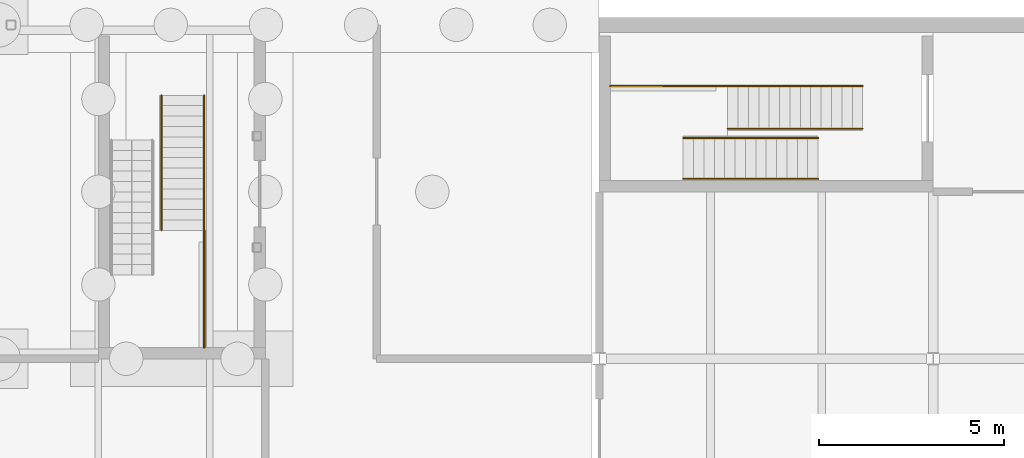
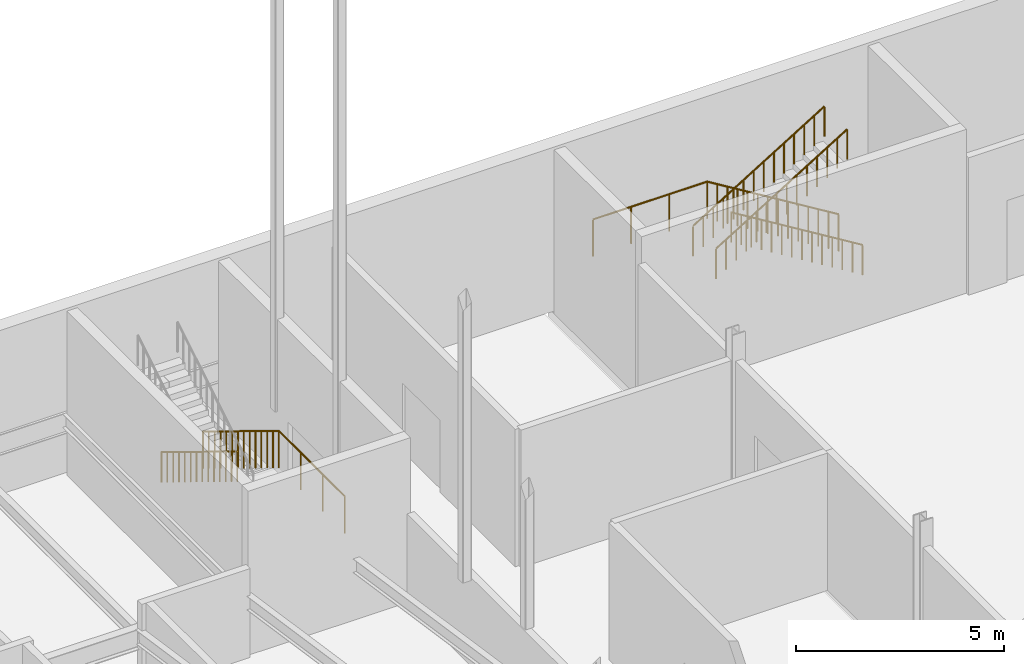
# One storey, part 26 of 31: 8 railings.
"""IFC4 building model written with IfcOpenShell, lengths in metres."""

from ifc_helpers import new_model, si_unit, direction, frame, origin, origin_2d, place, context, subcontext, project, spatial, circle, extrude, material, type_object, element, save


model = new_model("IFC4")

# Units and contexts
model_context = context("Model", 3, precision=1e-05, world=origin(), true_north=direction((0.0, 1.0)))
body_context = subcontext(model_context, "Body", "Model", "MODEL_VIEW")
ifc_project = project(units=[si_unit("LENGTHUNIT", "METRE"), si_unit("AREAUNIT", "SQUARE_METRE"), si_unit("VOLUMEUNIT", "CUBIC_METRE"), si_unit("PLANEANGLEUNIT", "RADIAN"), si_unit("MASSUNIT", "GRAM", prefix="KILO")], contexts=[model_context])

# Site, building, storey
site_placement = place(None, origin())
site = spatial("IfcSite", under=ifc_project, at=site_placement, CompositionType="ELEMENT")
building_placement = place(site_placement, origin())
building = spatial("IfcBuilding", under=site, at=building_placement, Name="Halyard Row Museum", CompositionType="ELEMENT")
storey_placement = place(building_placement, frame((0.0, 0.0, -4.800048828125)))
storey = spatial("IfcBuildingStorey", under=building, at=storey_placement, Name="B1", CompositionType="ELEMENT", Elevation=-4.800048828125)

# Railings
ifc_material_1 = material(Name="Steel Grade 300", Category="steel")
railing_type_1 = type_object("IfcRailingType", Name="Guard GR2 steel balustrade 1100", PredefinedType="GUARDRAIL", material=ifc_material_1)
railing_1_placement = place(storey_placement, frame((34.10009765625, 43.35009765625, 0.17138671875)))
element("IfcRailing", 1, at=railing_1_placement, inside=storey, type_object=railing_type_1, Name="Guard GR001", PredefinedType="GUARDRAIL", context=body_context, shape_type="SweptSolid", body=[
    extrude(circle(Radius=0.02392578125, at=origin_2d()), frame((0.0, 0.0, 1.076171875), z_axis=(-0.852601252411, 0.0, 0.522562057929), x_axis=(0.0, -1.0, 0.0)), (0.0, 0.0, 1.0), 0.328369140625),
    extrude(circle(Radius=0.02392578125, at=origin_2d()), frame((-0.280029296875, 0.0, 1.24755859375), z_axis=(-0.852932391421, 0.0, 0.522021393877), x_axis=(0.0, -1.0, 0.0)), (0.0, 0.0, 1.0), 0.328369140625),
    extrude(circle(Radius=0.02392578125, at=origin_2d()), frame((-0.56005859375, 0.0, 1.4189453125), z_axis=(-0.852932391421, 0.0, 0.522021393877), x_axis=(0.0, -1.0, 0.0)), (0.0, 0.0, 1.0), 0.328369140625),
    extrude(circle(Radius=0.02392578125, at=origin_2d()), frame((-0.840087890625, 0.0, 1.59033203125), z_axis=(-0.852932391421, 0.0, 0.522021393877), x_axis=(0.0, -1.0, 0.0)), (0.0, 0.0, 1.0), 0.328369140625),
    extrude(circle(Radius=0.02392578125, at=origin_2d()), frame((-1.1201171875, 0.0, 1.76171875), z_axis=(-0.852932391421, 0.0, 0.522021393877), x_axis=(0.0, -1.0, 0.0)), (0.0, 0.0, 1.0), 0.328369140625),
    extrude(circle(Radius=0.02392578125, at=origin_2d()), frame((-1.400146484375, 0.0, 1.93310546875), z_axis=(-0.852932391421, 0.0, 0.522021393877), x_axis=(0.0, -1.0, 0.0)), (0.0, 0.0, 1.0), 0.328369140625),
    extrude(circle(Radius=0.02392578125, at=origin_2d()), frame((-1.68017578125, 0.0, 2.1044921875), z_axis=(-0.852601252411, 0.0, 0.522562057929), x_axis=(0.0, -1.0, 0.0)), (0.0, 0.0, 1.0), 0.328369140625),
    extrude(circle(Radius=0.02392578125, at=origin_2d()), frame((-1.960205078125, 0.0, 2.2763671875), z_axis=(-0.852729557261, 0.0, 0.522352660731), x_axis=(0.0, -1.0, 0.0)), (0.0, 0.0, 1.0), 0.328125),
    extrude(circle(Radius=0.02392578125, at=origin_2d()), frame((-2.239990234375, 0.0, 2.44775390625), z_axis=(-0.852932391421, 0.0, 0.522021393877), x_axis=(0.0, -1.0, 0.0)), (0.0, 0.0, 1.0), 0.328369140625),
    extrude(circle(Radius=0.02392578125, at=origin_2d()), frame((-2.52001953125, 0.0, 2.619140625), z_axis=(-0.852932391421, 0.0, 0.522021393877), x_axis=(0.0, -1.0, 0.0)), (0.0, 0.0, 1.0), 0.328369140625),
    extrude(circle(Radius=0.02392578125, at=origin_2d()), frame((-2.800048828125, 0.0, 2.79052734375), z_axis=(-0.852932391421, 0.0, 0.522021393877), x_axis=(0.0, -1.0, 0.0)), (0.0, 0.0, 1.0), 0.328369140625),
    extrude(circle(Radius=0.02392578125, at=origin_2d()), frame((-3.080078125, 0.0, 2.9619140625), z_axis=(-0.852932391421, 0.0, 0.522021393877), x_axis=(0.0, -1.0, 0.0)), (0.0, 0.0, 1.0), 0.328369140625),
    extrude(circle(Radius=0.02392578125, at=origin_2d()), frame((-3.360107421875, 0.0, 3.13330078125), z_axis=(-0.852601252411, 0.0, 0.522562057929), x_axis=(0.0, -1.0, 0.0)), (0.0, 0.0, 1.0), 0.328369140625),
    extrude(circle(Radius=0.02099609375, at=origin_2d()), origin(), (0.0, 0.0, 1.0), 1.052001953125),
    extrude(circle(Radius=0.02099609375, at=origin_2d()), frame((-0.280029296875, 0.0, 0.171630859375)), (0.0, 0.0, 1.0), 1.052001953125),
    extrude(circle(Radius=0.02099609375, at=origin_2d()), frame((-0.56005859375, 0.0, 0.343017578125)), (0.0, 0.0, 1.0), 1.052001953125),
    extrude(circle(Radius=0.02099609375, at=origin_2d()), frame((-0.840087890625, 0.0, 0.514404296875)), (0.0, 0.0, 1.0), 1.052001953125),
    extrude(circle(Radius=0.02099609375, at=origin_2d()), frame((-1.1201171875, 0.0, 0.685791015625)), (0.0, 0.0, 1.0), 1.052001953125),
    extrude(circle(Radius=0.02099609375, at=origin_2d()), frame((-1.400146484375, 0.0, 0.857177734375)), (0.0, 0.0, 1.0), 1.052001953125),
    extrude(circle(Radius=0.02099609375, at=origin_2d()), frame((-1.68017578125, 0.0, 1.028564453125)), (0.0, 0.0, 1.0), 1.052001953125),
    extrude(circle(Radius=0.02099609375, at=origin_2d()), frame((-1.960205078125, 0.0, 1.2001953125)), (0.0, 0.0, 1.0), 1.052001953125),
    extrude(circle(Radius=0.02099609375, at=origin_2d()), frame((-2.239990234375, 0.0, 1.37158203125)), (0.0, 0.0, 1.0), 1.052001953125),
    extrude(circle(Radius=0.02099609375, at=origin_2d()), frame((-2.52001953125, 0.0, 1.54296875)), (0.0, 0.0, 1.0), 1.052001953125),
    extrude(circle(Radius=0.02099609375, at=origin_2d()), frame((-2.800048828125, 0.0, 1.71435546875)), (0.0, 0.0, 1.0), 1.052001953125),
    extrude(circle(Radius=0.02099609375, at=origin_2d()), frame((-3.080078125, 0.0, 1.8857421875)), (0.0, 0.0, 1.0), 1.052001953125),
    extrude(circle(Radius=0.02099609375, at=origin_2d()), frame((-3.360107421875, 0.0, 2.05712890625)), (0.0, 0.0, 1.0), 1.052001953125),
    extrude(circle(Radius=0.02099609375, at=origin_2d()), frame((-3.64013671875, 0.0, 2.228759765625)), (0.0, 0.0, 1.0), 1.052001953125),
])
railing_2_placement = place(storey_placement, frame((30.4599609375, 43.35009765625, 2.400146484375)))
element("IfcRailing", 2, at=railing_2_placement, inside=storey, type_object=railing_type_1, Name="Guard GR002", PredefinedType="GUARDRAIL", context=body_context, shape_type="SweptSolid", body=[
    extrude(circle(Radius=0.02392578125, at=origin_2d()), frame((0.0, 0.0, 1.076171875), z_axis=(-1.0, 0.0, 0.0), x_axis=(0.0, -1.0, 0.0)), (0.0, 0.0, 1.0), 3.159912109375),
    extrude(circle(Radius=0.02099609375, at=origin_2d()), origin(), (0.0, 0.0, 1.0), 1.052001953125),
    extrude(circle(Radius=0.02099609375, at=origin_2d()), frame((-1.05322265625, 0.0, 0.0)), (0.0, 0.0, 1.0), 1.052001953125),
    extrude(circle(Radius=0.02099609375, at=origin_2d()), frame((-2.106689453125, 0.0, 0.0)), (0.0, 0.0, 1.0), 1.052001953125),
    extrude(circle(Radius=0.02099609375, at=origin_2d()), frame((-3.159912109375, 0.0, 0.0)), (0.0, 0.0, 1.0), 1.052001953125),
])
railing_3_placement = place(storey_placement, frame((16.35009765625, 43.10009765625, 0.17138671875)))
element("IfcRailing", 3, at=railing_3_placement, inside=storey, type_object=railing_type_1, Name="Guard GR082", PredefinedType="GUARDRAIL", context=body_context, shape_type="SweptSolid", body=[
    extrude(circle(Radius=0.02392578125, at=origin_2d()), frame((0.0, 0.0, 1.076171875), z_axis=(0.0, -0.852601252411, 0.522562057929), x_axis=(1.0, 0.0, 0.0)), (0.0, 0.0, 1.0), 0.328369140625),
    extrude(circle(Radius=0.02392578125, at=origin_2d()), frame((0.0, -0.280029296875, 1.24755859375), z_axis=(0.0, -0.852932391421, 0.522021393877), x_axis=(1.0, 0.0, 0.0)), (0.0, 0.0, 1.0), 0.328369140625),
    extrude(circle(Radius=0.02392578125, at=origin_2d()), frame((0.0, -0.56005859375, 1.4189453125), z_axis=(0.0, -0.852932391421, 0.522021393877), x_axis=(1.0, 0.0, 0.0)), (0.0, 0.0, 1.0), 0.328369140625),
    extrude(circle(Radius=0.02392578125, at=origin_2d()), frame((0.0, -0.840087890625, 1.59033203125), z_axis=(0.0, -0.852932391421, 0.522021393877), x_axis=(1.0, 0.0, 0.0)), (0.0, 0.0, 1.0), 0.328369140625),
    extrude(circle(Radius=0.02392578125, at=origin_2d()), frame((0.0, -1.1201171875, 1.76171875), z_axis=(0.0, -0.852932391421, 0.522021393877), x_axis=(1.0, 0.0, 0.0)), (0.0, 0.0, 1.0), 0.328369140625),
    extrude(circle(Radius=0.02392578125, at=origin_2d()), frame((0.0, -1.400146484375, 1.93310546875), z_axis=(0.0, -0.852932391421, 0.522021393877), x_axis=(1.0, 0.0, 0.0)), (0.0, 0.0, 1.0), 0.328369140625),
    extrude(circle(Radius=0.02392578125, at=origin_2d()), frame((0.0, -1.68017578125, 2.1044921875), z_axis=(0.0, -0.852601252411, 0.522562057929), x_axis=(1.0, 0.0, 0.0)), (0.0, 0.0, 1.0), 0.328369140625),
    extrude(circle(Radius=0.02392578125, at=origin_2d()), frame((0.0, -1.960205078125, 2.2763671875), z_axis=(0.0, -0.852729557261, 0.522352660731), x_axis=(1.0, 0.0, 0.0)), (0.0, 0.0, 1.0), 0.328125),
    extrude(circle(Radius=0.02392578125, at=origin_2d()), frame((0.0, -2.239990234375, 2.44775390625), z_axis=(0.0, -0.852932391421, 0.522021393877), x_axis=(1.0, 0.0, 0.0)), (0.0, 0.0, 1.0), 0.328369140625),
    extrude(circle(Radius=0.02392578125, at=origin_2d()), frame((0.0, -2.52001953125, 2.619140625), z_axis=(0.0, -0.852932391421, 0.522021393877), x_axis=(1.0, 0.0, 0.0)), (0.0, 0.0, 1.0), 0.328369140625),
    extrude(circle(Radius=0.02392578125, at=origin_2d()), frame((0.0, -2.800048828125, 2.79052734375), z_axis=(0.0, -0.852932391421, 0.522021393877), x_axis=(1.0, 0.0, 0.0)), (0.0, 0.0, 1.0), 0.328369140625),
    extrude(circle(Radius=0.02392578125, at=origin_2d()), frame((0.0, -3.080078125, 2.9619140625), z_axis=(0.0, -0.852932391421, 0.522021393877), x_axis=(1.0, 0.0, 0.0)), (0.0, 0.0, 1.0), 0.328369140625),
    extrude(circle(Radius=0.02392578125, at=origin_2d()), frame((0.0, -3.360107421875, 3.13330078125), z_axis=(0.0, -0.852601252411, 0.522562057929), x_axis=(1.0, 0.0, 0.0)), (0.0, 0.0, 1.0), 0.328369140625),
    extrude(circle(Radius=0.02099609375, at=origin_2d()), origin(), (0.0, 0.0, 1.0), 1.052001953125),
    extrude(circle(Radius=0.02099609375, at=origin_2d()), frame((0.0, -0.280029296875, 0.171630859375)), (0.0, 0.0, 1.0), 1.052001953125),
    extrude(circle(Radius=0.02099609375, at=origin_2d()), frame((0.0, -0.56005859375, 0.343017578125)), (0.0, 0.0, 1.0), 1.052001953125),
    extrude(circle(Radius=0.02099609375, at=origin_2d()), frame((0.0, -0.840087890625, 0.514404296875)), (0.0, 0.0, 1.0), 1.052001953125),
    extrude(circle(Radius=0.02099609375, at=origin_2d()), frame((0.0, -1.1201171875, 0.685791015625)), (0.0, 0.0, 1.0), 1.052001953125),
    extrude(circle(Radius=0.02099609375, at=origin_2d()), frame((0.0, -1.400146484375, 0.857177734375)), (0.0, 0.0, 1.0), 1.052001953125),
    extrude(circle(Radius=0.02099609375, at=origin_2d()), frame((0.0, -1.68017578125, 1.028564453125)), (0.0, 0.0, 1.0), 1.052001953125),
    extrude(circle(Radius=0.02099609375, at=origin_2d()), frame((0.0, -1.960205078125, 1.2001953125)), (0.0, 0.0, 1.0), 1.052001953125),
    extrude(circle(Radius=0.02099609375, at=origin_2d()), frame((0.0, -2.239990234375, 1.37158203125)), (0.0, 0.0, 1.0), 1.052001953125),
    extrude(circle(Radius=0.02099609375, at=origin_2d()), frame((0.0, -2.52001953125, 1.54296875)), (0.0, 0.0, 1.0), 1.052001953125),
    extrude(circle(Radius=0.02099609375, at=origin_2d()), frame((0.0, -2.800048828125, 1.71435546875)), (0.0, 0.0, 1.0), 1.052001953125),
    extrude(circle(Radius=0.02099609375, at=origin_2d()), frame((0.0, -3.080078125, 1.8857421875)), (0.0, 0.0, 1.0), 1.052001953125),
    extrude(circle(Radius=0.02099609375, at=origin_2d()), frame((0.0, -3.360107421875, 2.05712890625)), (0.0, 0.0, 1.0), 1.052001953125),
    extrude(circle(Radius=0.02099609375, at=origin_2d()), frame((0.0, -3.64013671875, 2.228759765625)), (0.0, 0.0, 1.0), 1.052001953125),
])
railing_4_placement = place(storey_placement, frame((16.35009765625, 39.4599609375, 2.400146484375)))
element("IfcRailing", 4, at=railing_4_placement, inside=storey, type_object=railing_type_1, Name="Guard GR083", PredefinedType="GUARDRAIL", context=body_context, shape_type="SweptSolid", body=[
    extrude(circle(Radius=0.02392578125, at=origin_2d()), frame((0.0, 0.0, 1.076171875), z_axis=(0.0, -1.0, 0.0), x_axis=(1.0, 0.0, 0.0)), (0.0, 0.0, 1.0), 3.159912109375),
    extrude(circle(Radius=0.02099609375, at=origin_2d()), origin(), (0.0, 0.0, 1.0), 1.052001953125),
    extrude(circle(Radius=0.02099609375, at=origin_2d()), frame((0.0, -1.05322265625, 0.0)), (0.0, 0.0, 1.0), 1.052001953125),
    extrude(circle(Radius=0.02099609375, at=origin_2d()), frame((0.0, -2.106689453125, 0.0)), (0.0, 0.0, 1.0), 1.052001953125),
    extrude(circle(Radius=0.02099609375, at=origin_2d()), frame((0.0, -3.159912109375, 0.0)), (0.0, 0.0, 1.0), 1.052001953125),
])
ifc_material_2 = material(Name="Steel Grade 300", Category="steel")
railing_type_2 = type_object("IfcRailingType", Name="Handrail HR2 steel 900", PredefinedType="HANDRAIL", material=ifc_material_2)
railing_5_placement = place(storey_placement, frame((34.10009765625, 42.199951171875, 0.17138671875)))
element("IfcRailing", 5, at=railing_5_placement, inside=storey, type_object=railing_type_2, Name="Handrail HR001", PredefinedType="HANDRAIL", context=body_context, shape_type="SweptSolid", body=[
    extrude(circle(Radius=0.02392578125, at=origin_2d()), frame((0.0, 0.0, 0.8759765625), z_axis=(-0.852601252411, 0.0, 0.522562057929), x_axis=(0.0, -1.0, 0.0)), (0.0, 0.0, 1.0), 0.328369140625),
    extrude(circle(Radius=0.02392578125, at=origin_2d()), frame((-0.280029296875, 0.0, 1.04736328125), z_axis=(-0.852932391421, 0.0, 0.522021393877), x_axis=(0.0, -1.0, 0.0)), (0.0, 0.0, 1.0), 0.328369140625),
    extrude(circle(Radius=0.02392578125, at=origin_2d()), frame((-0.56005859375, 0.0, 1.21875), z_axis=(-0.852932391421, 0.0, 0.522021393877), x_axis=(0.0, -1.0, 0.0)), (0.0, 0.0, 1.0), 0.328369140625),
    extrude(circle(Radius=0.02392578125, at=origin_2d()), frame((-0.840087890625, 0.0, 1.39013671875), z_axis=(-0.852932391421, 0.0, 0.522021393877), x_axis=(0.0, -1.0, 0.0)), (0.0, 0.0, 1.0), 0.328369140625),
    extrude(circle(Radius=0.02392578125, at=origin_2d()), frame((-1.1201171875, 0.0, 1.5615234375), z_axis=(-0.852932391421, 0.0, 0.522021393877), x_axis=(0.0, -1.0, 0.0)), (0.0, 0.0, 1.0), 0.328369140625),
    extrude(circle(Radius=0.02392578125, at=origin_2d()), frame((-1.400146484375, 0.0, 1.73291015625), z_axis=(-0.852932391421, 0.0, 0.522021393877), x_axis=(0.0, -1.0, 0.0)), (0.0, 0.0, 1.0), 0.328369140625),
    extrude(circle(Radius=0.02392578125, at=origin_2d()), frame((-1.68017578125, 0.0, 1.904296875), z_axis=(-0.852601252411, 0.0, 0.522562057929), x_axis=(0.0, -1.0, 0.0)), (0.0, 0.0, 1.0), 0.328369140625),
    extrude(circle(Radius=0.02392578125, at=origin_2d()), frame((-1.960205078125, 0.0, 2.076171875), z_axis=(-0.852729557261, 0.0, 0.522352660731), x_axis=(0.0, -1.0, 0.0)), (0.0, 0.0, 1.0), 0.328125),
    extrude(circle(Radius=0.02392578125, at=origin_2d()), frame((-2.239990234375, 0.0, 2.24755859375), z_axis=(-0.852932391421, 0.0, 0.522021393877), x_axis=(0.0, -1.0, 0.0)), (0.0, 0.0, 1.0), 0.328369140625),
    extrude(circle(Radius=0.02392578125, at=origin_2d()), frame((-2.52001953125, 0.0, 2.4189453125), z_axis=(-0.852932391421, 0.0, 0.522021393877), x_axis=(0.0, -1.0, 0.0)), (0.0, 0.0, 1.0), 0.328369140625),
    extrude(circle(Radius=0.02392578125, at=origin_2d()), frame((-2.800048828125, 0.0, 2.59033203125), z_axis=(-0.852932391421, 0.0, 0.522021393877), x_axis=(0.0, -1.0, 0.0)), (0.0, 0.0, 1.0), 0.328369140625),
    extrude(circle(Radius=0.02392578125, at=origin_2d()), frame((-3.080078125, 0.0, 2.76171875), z_axis=(-0.852932391421, 0.0, 0.522021393877), x_axis=(0.0, -1.0, 0.0)), (0.0, 0.0, 1.0), 0.328369140625),
    extrude(circle(Radius=0.02392578125, at=origin_2d()), frame((-3.360107421875, 0.0, 2.93310546875), z_axis=(-0.852601252411, 0.0, 0.522562057929), x_axis=(0.0, -1.0, 0.0)), (0.0, 0.0, 1.0), 0.328369140625),
    extrude(circle(Radius=0.02099609375, at=origin_2d()), origin(), (0.0, 0.0, 1.0), 0.851806640625),
    extrude(circle(Radius=0.02099609375, at=origin_2d()), frame((-0.280029296875, 0.0, 0.171630859375)), (0.0, 0.0, 1.0), 0.851806640625),
    extrude(circle(Radius=0.02099609375, at=origin_2d()), frame((-0.56005859375, 0.0, 0.343017578125)), (0.0, 0.0, 1.0), 0.851806640625),
    extrude(circle(Radius=0.02099609375, at=origin_2d()), frame((-0.840087890625, 0.0, 0.514404296875)), (0.0, 0.0, 1.0), 0.851806640625),
    extrude(circle(Radius=0.02099609375, at=origin_2d()), frame((-1.1201171875, 0.0, 0.685791015625)), (0.0, 0.0, 1.0), 0.851806640625),
    extrude(circle(Radius=0.02099609375, at=origin_2d()), frame((-1.400146484375, 0.0, 0.857177734375)), (0.0, 0.0, 1.0), 0.851806640625),
    extrude(circle(Radius=0.02099609375, at=origin_2d()), frame((-1.68017578125, 0.0, 1.028564453125)), (0.0, 0.0, 1.0), 0.851806640625),
    extrude(circle(Radius=0.02099609375, at=origin_2d()), frame((-1.960205078125, 0.0, 1.2001953125)), (0.0, 0.0, 1.0), 0.851806640625),
    extrude(circle(Radius=0.02099609375, at=origin_2d()), frame((-2.239990234375, 0.0, 1.37158203125)), (0.0, 0.0, 1.0), 0.851806640625),
    extrude(circle(Radius=0.02099609375, at=origin_2d()), frame((-2.52001953125, 0.0, 1.54296875)), (0.0, 0.0, 1.0), 0.851806640625),
    extrude(circle(Radius=0.02099609375, at=origin_2d()), frame((-2.800048828125, 0.0, 1.71435546875)), (0.0, 0.0, 1.0), 0.851806640625),
    extrude(circle(Radius=0.02099609375, at=origin_2d()), frame((-3.080078125, 0.0, 1.8857421875)), (0.0, 0.0, 1.0), 0.851806640625),
    extrude(circle(Radius=0.02099609375, at=origin_2d()), frame((-3.360107421875, 0.0, 2.05712890625)), (0.0, 0.0, 1.0), 0.851806640625),
    extrude(circle(Radius=0.02099609375, at=origin_2d()), frame((-3.64013671875, 0.0, 2.228759765625)), (0.0, 0.0, 1.0), 0.851806640625),
])
railing_6_placement = place(storey_placement, frame((29.260009765625, 40.85009765625, 2.571533203125)))
element("IfcRailing", 6, at=railing_6_placement, inside=storey, type_object=railing_type_2, Name="Handrail HR002", PredefinedType="HANDRAIL", context=body_context, shape_type="SweptSolid", body=[
    extrude(circle(Radius=0.02392578125, at=origin_2d()), frame((0.0, 0.0, 0.8759765625), z_axis=(0.852932391421, 0.0, 0.522021393877), x_axis=(0.0, 1.0, 0.0)), (0.0, 0.0, 1.0), 0.328369140625),
    extrude(circle(Radius=0.02392578125, at=origin_2d()), frame((0.280029296875, 0.0, 1.04736328125), z_axis=(0.852932391421, 0.0, 0.522021393877), x_axis=(0.0, 1.0, 0.0)), (0.0, 0.0, 1.0), 0.328369140625),
    extrude(circle(Radius=0.02392578125, at=origin_2d()), frame((0.56005859375, 0.0, 1.21875), z_axis=(0.852932391421, 0.0, 0.522021393877), x_axis=(0.0, 1.0, 0.0)), (0.0, 0.0, 1.0), 0.328369140625),
    extrude(circle(Radius=0.02392578125, at=origin_2d()), frame((0.840087890625, 0.0, 1.39013671875), z_axis=(0.852729557261, 0.0, 0.522352660731), x_axis=(0.0, 1.0, 0.0)), (0.0, 0.0, 1.0), 0.328125),
    extrude(circle(Radius=0.02392578125, at=origin_2d()), frame((1.119873046875, 0.0, 1.5615234375), z_axis=(0.852601252411, 0.0, 0.522562057929), x_axis=(0.0, 1.0, 0.0)), (0.0, 0.0, 1.0), 0.328369140625),
    extrude(circle(Radius=0.02392578125, at=origin_2d()), frame((1.39990234375, 0.0, 1.73291015625), z_axis=(0.852932391421, 0.0, 0.522021393877), x_axis=(0.0, 1.0, 0.0)), (0.0, 0.0, 1.0), 0.328369140625),
    extrude(circle(Radius=0.02392578125, at=origin_2d()), frame((1.679931640625, 0.0, 1.904296875), z_axis=(0.852932391421, 0.0, 0.522021393877), x_axis=(0.0, 1.0, 0.0)), (0.0, 0.0, 1.0), 0.328369140625),
    extrude(circle(Radius=0.02392578125, at=origin_2d()), frame((1.9599609375, 0.0, 2.07568359375), z_axis=(0.852932391421, 0.0, 0.522021393877), x_axis=(0.0, 1.0, 0.0)), (0.0, 0.0, 1.0), 0.328369140625),
    extrude(circle(Radius=0.02392578125, at=origin_2d()), frame((2.239990234375, 0.0, 2.2470703125), z_axis=(0.852932391421, 0.0, 0.522021393877), x_axis=(0.0, 1.0, 0.0)), (0.0, 0.0, 1.0), 0.328369140625),
    extrude(circle(Radius=0.02392578125, at=origin_2d()), frame((2.52001953125, 0.0, 2.41845703125), z_axis=(0.852932391421, 0.0, 0.522021393877), x_axis=(0.0, 1.0, 0.0)), (0.0, 0.0, 1.0), 0.328369140625),
    extrude(circle(Radius=0.02392578125, at=origin_2d()), frame((2.800048828125, 0.0, 2.58984375), z_axis=(0.852601252411, 0.0, 0.522562057929), x_axis=(0.0, 1.0, 0.0)), (0.0, 0.0, 1.0), 0.328369140625),
    extrude(circle(Radius=0.02392578125, at=origin_2d()), frame((3.080078125, 0.0, 2.76171875), z_axis=(0.852932391421, 0.0, 0.522021393877), x_axis=(0.0, 1.0, 0.0)), (0.0, 0.0, 1.0), 0.328369140625),
    extrude(circle(Radius=0.02392578125, at=origin_2d()), frame((3.360107421875, 0.0, 2.93310546875), z_axis=(0.852729557261, 0.0, 0.522352660731), x_axis=(0.0, 1.0, 0.0)), (0.0, 0.0, 1.0), 0.328125),
    extrude(circle(Radius=0.02099609375, at=origin_2d()), origin(), (0.0, 0.0, 1.0), 0.851806640625),
    extrude(circle(Radius=0.02099609375, at=origin_2d()), frame((0.280029296875, 0.0, 0.17138671875)), (0.0, 0.0, 1.0), 0.851806640625),
    extrude(circle(Radius=0.02099609375, at=origin_2d()), frame((0.56005859375, 0.0, 0.3427734375)), (0.0, 0.0, 1.0), 0.851806640625),
    extrude(circle(Radius=0.02099609375, at=origin_2d()), frame((0.840087890625, 0.0, 0.51416015625)), (0.0, 0.0, 1.0), 0.851806640625),
    extrude(circle(Radius=0.02099609375, at=origin_2d()), frame((1.119873046875, 0.0, 0.685546875)), (0.0, 0.0, 1.0), 0.851806640625),
    extrude(circle(Radius=0.02099609375, at=origin_2d()), frame((1.39990234375, 0.0, 0.857177734375)), (0.0, 0.0, 1.0), 0.851806640625),
    extrude(circle(Radius=0.02099609375, at=origin_2d()), frame((1.679931640625, 0.0, 1.028564453125)), (0.0, 0.0, 1.0), 0.851806640625),
    extrude(circle(Radius=0.02099609375, at=origin_2d()), frame((1.9599609375, 0.0, 1.199951171875)), (0.0, 0.0, 1.0), 0.851806640625),
    extrude(circle(Radius=0.02099609375, at=origin_2d()), frame((2.239990234375, 0.0, 1.371337890625)), (0.0, 0.0, 1.0), 0.851806640625),
    extrude(circle(Radius=0.02099609375, at=origin_2d()), frame((2.52001953125, 0.0, 1.542724609375)), (0.0, 0.0, 1.0), 0.851806640625),
    extrude(circle(Radius=0.02099609375, at=origin_2d()), frame((2.800048828125, 0.0, 1.714111328125)), (0.0, 0.0, 1.0), 0.851806640625),
    extrude(circle(Radius=0.02099609375, at=origin_2d()), frame((3.080078125, 0.0, 1.8857421875)), (0.0, 0.0, 1.0), 0.851806640625),
    extrude(circle(Radius=0.02099609375, at=origin_2d()), frame((3.360107421875, 0.0, 2.05712890625)), (0.0, 0.0, 1.0), 0.851806640625),
    extrude(circle(Radius=0.02099609375, at=origin_2d()), frame((3.639892578125, 0.0, 2.228515625)), (0.0, 0.0, 1.0), 0.851806640625),
])
railing_7_placement = place(storey_placement, frame((29.260009765625, 41.949951171875, 2.571533203125)))
element("IfcRailing", 7, at=railing_7_placement, inside=storey, type_object=railing_type_2, Name="Handrail HR003", PredefinedType="HANDRAIL", context=body_context, shape_type="SweptSolid", body=[
    extrude(circle(Radius=0.02392578125, at=origin_2d()), frame((0.0, 0.0, 0.8759765625), z_axis=(0.852932391421, 0.0, 0.522021393877), x_axis=(0.0, 1.0, 0.0)), (0.0, 0.0, 1.0), 0.328369140625),
    extrude(circle(Radius=0.02392578125, at=origin_2d()), frame((0.280029296875, 0.0, 1.04736328125), z_axis=(0.852932391421, 0.0, 0.522021393877), x_axis=(0.0, 1.0, 0.0)), (0.0, 0.0, 1.0), 0.328369140625),
    extrude(circle(Radius=0.02392578125, at=origin_2d()), frame((0.56005859375, 0.0, 1.21875), z_axis=(0.852932391421, 0.0, 0.522021393877), x_axis=(0.0, 1.0, 0.0)), (0.0, 0.0, 1.0), 0.328369140625),
    extrude(circle(Radius=0.02392578125, at=origin_2d()), frame((0.840087890625, 0.0, 1.39013671875), z_axis=(0.852729557261, 0.0, 0.522352660731), x_axis=(0.0, 1.0, 0.0)), (0.0, 0.0, 1.0), 0.328125),
    extrude(circle(Radius=0.02392578125, at=origin_2d()), frame((1.119873046875, 0.0, 1.5615234375), z_axis=(0.852601252411, 0.0, 0.522562057929), x_axis=(0.0, 1.0, 0.0)), (0.0, 0.0, 1.0), 0.328369140625),
    extrude(circle(Radius=0.02392578125, at=origin_2d()), frame((1.39990234375, 0.0, 1.73291015625), z_axis=(0.852932391421, 0.0, 0.522021393877), x_axis=(0.0, 1.0, 0.0)), (0.0, 0.0, 1.0), 0.328369140625),
    extrude(circle(Radius=0.02392578125, at=origin_2d()), frame((1.679931640625, 0.0, 1.904296875), z_axis=(0.852932391421, 0.0, 0.522021393877), x_axis=(0.0, 1.0, 0.0)), (0.0, 0.0, 1.0), 0.328369140625),
    extrude(circle(Radius=0.02392578125, at=origin_2d()), frame((1.9599609375, 0.0, 2.07568359375), z_axis=(0.852932391421, 0.0, 0.522021393877), x_axis=(0.0, 1.0, 0.0)), (0.0, 0.0, 1.0), 0.328369140625),
    extrude(circle(Radius=0.02392578125, at=origin_2d()), frame((2.239990234375, 0.0, 2.2470703125), z_axis=(0.852932391421, 0.0, 0.522021393877), x_axis=(0.0, 1.0, 0.0)), (0.0, 0.0, 1.0), 0.328369140625),
    extrude(circle(Radius=0.02392578125, at=origin_2d()), frame((2.52001953125, 0.0, 2.41845703125), z_axis=(0.852932391421, 0.0, 0.522021393877), x_axis=(0.0, 1.0, 0.0)), (0.0, 0.0, 1.0), 0.328369140625),
    extrude(circle(Radius=0.02392578125, at=origin_2d()), frame((2.800048828125, 0.0, 2.58984375), z_axis=(0.852601252411, 0.0, 0.522562057929), x_axis=(0.0, 1.0, 0.0)), (0.0, 0.0, 1.0), 0.328369140625),
    extrude(circle(Radius=0.02392578125, at=origin_2d()), frame((3.080078125, 0.0, 2.76171875), z_axis=(0.852932391421, 0.0, 0.522021393877), x_axis=(0.0, 1.0, 0.0)), (0.0, 0.0, 1.0), 0.328369140625),
    extrude(circle(Radius=0.02392578125, at=origin_2d()), frame((3.360107421875, 0.0, 2.93310546875), z_axis=(0.852729557261, 0.0, 0.522352660731), x_axis=(0.0, 1.0, 0.0)), (0.0, 0.0, 1.0), 0.328125),
    extrude(circle(Radius=0.02099609375, at=origin_2d()), origin(), (0.0, 0.0, 1.0), 0.851806640625),
    extrude(circle(Radius=0.02099609375, at=origin_2d()), frame((0.280029296875, 0.0, 0.17138671875)), (0.0, 0.0, 1.0), 0.851806640625),
    extrude(circle(Radius=0.02099609375, at=origin_2d()), frame((0.56005859375, 0.0, 0.3427734375)), (0.0, 0.0, 1.0), 0.851806640625),
    extrude(circle(Radius=0.02099609375, at=origin_2d()), frame((0.840087890625, 0.0, 0.51416015625)), (0.0, 0.0, 1.0), 0.851806640625),
    extrude(circle(Radius=0.02099609375, at=origin_2d()), frame((1.119873046875, 0.0, 0.685546875)), (0.0, 0.0, 1.0), 0.851806640625),
    extrude(circle(Radius=0.02099609375, at=origin_2d()), frame((1.39990234375, 0.0, 0.857177734375)), (0.0, 0.0, 1.0), 0.851806640625),
    extrude(circle(Radius=0.02099609375, at=origin_2d()), frame((1.679931640625, 0.0, 1.028564453125)), (0.0, 0.0, 1.0), 0.851806640625),
    extrude(circle(Radius=0.02099609375, at=origin_2d()), frame((1.9599609375, 0.0, 1.199951171875)), (0.0, 0.0, 1.0), 0.851806640625),
    extrude(circle(Radius=0.02099609375, at=origin_2d()), frame((2.239990234375, 0.0, 1.371337890625)), (0.0, 0.0, 1.0), 0.851806640625),
    extrude(circle(Radius=0.02099609375, at=origin_2d()), frame((2.52001953125, 0.0, 1.542724609375)), (0.0, 0.0, 1.0), 0.851806640625),
    extrude(circle(Radius=0.02099609375, at=origin_2d()), frame((2.800048828125, 0.0, 1.714111328125)), (0.0, 0.0, 1.0), 0.851806640625),
    extrude(circle(Radius=0.02099609375, at=origin_2d()), frame((3.080078125, 0.0, 1.8857421875)), (0.0, 0.0, 1.0), 0.851806640625),
    extrude(circle(Radius=0.02099609375, at=origin_2d()), frame((3.360107421875, 0.0, 2.05712890625)), (0.0, 0.0, 1.0), 0.851806640625),
    extrude(circle(Radius=0.02099609375, at=origin_2d()), frame((3.639892578125, 0.0, 2.228515625)), (0.0, 0.0, 1.0), 0.851806640625),
])
railing_8_placement = place(storey_placement, frame((15.199951171875, 43.10009765625, 0.17138671875)))
element("IfcRailing", 8, at=railing_8_placement, inside=storey, type_object=railing_type_2, Name="Handrail HR118", PredefinedType="HANDRAIL", context=body_context, shape_type="SweptSolid", body=[
    extrude(circle(Radius=0.02392578125, at=origin_2d()), frame((0.0, 0.0, 0.8759765625), z_axis=(0.0, -0.852601252411, 0.522562057929), x_axis=(1.0, 0.0, 0.0)), (0.0, 0.0, 1.0), 0.328369140625),
    extrude(circle(Radius=0.02392578125, at=origin_2d()), frame((0.0, -0.280029296875, 1.04736328125), z_axis=(0.0, -0.852932391421, 0.522021393877), x_axis=(1.0, 0.0, 0.0)), (0.0, 0.0, 1.0), 0.328369140625),
    extrude(circle(Radius=0.02392578125, at=origin_2d()), frame((0.0, -0.56005859375, 1.21875), z_axis=(0.0, -0.852932391421, 0.522021393877), x_axis=(1.0, 0.0, 0.0)), (0.0, 0.0, 1.0), 0.328369140625),
    extrude(circle(Radius=0.02392578125, at=origin_2d()), frame((0.0, -0.840087890625, 1.39013671875), z_axis=(0.0, -0.852932391421, 0.522021393877), x_axis=(1.0, 0.0, 0.0)), (0.0, 0.0, 1.0), 0.328369140625),
    extrude(circle(Radius=0.02392578125, at=origin_2d()), frame((0.0, -1.1201171875, 1.5615234375), z_axis=(0.0, -0.852932391421, 0.522021393877), x_axis=(1.0, 0.0, 0.0)), (0.0, 0.0, 1.0), 0.328369140625),
    extrude(circle(Radius=0.02392578125, at=origin_2d()), frame((0.0, -1.400146484375, 1.73291015625), z_axis=(0.0, -0.852932391421, 0.522021393877), x_axis=(1.0, 0.0, 0.0)), (0.0, 0.0, 1.0), 0.328369140625),
    extrude(circle(Radius=0.02392578125, at=origin_2d()), frame((0.0, -1.68017578125, 1.904296875), z_axis=(0.0, -0.852601252411, 0.522562057929), x_axis=(1.0, 0.0, 0.0)), (0.0, 0.0, 1.0), 0.328369140625),
    extrude(circle(Radius=0.02392578125, at=origin_2d()), frame((0.0, -1.960205078125, 2.076171875), z_axis=(0.0, -0.852729557261, 0.522352660731), x_axis=(1.0, 0.0, 0.0)), (0.0, 0.0, 1.0), 0.328125),
    extrude(circle(Radius=0.02392578125, at=origin_2d()), frame((0.0, -2.239990234375, 2.24755859375), z_axis=(0.0, -0.852932391421, 0.522021393877), x_axis=(1.0, 0.0, 0.0)), (0.0, 0.0, 1.0), 0.328369140625),
    extrude(circle(Radius=0.02392578125, at=origin_2d()), frame((0.0, -2.52001953125, 2.4189453125), z_axis=(0.0, -0.852932391421, 0.522021393877), x_axis=(1.0, 0.0, 0.0)), (0.0, 0.0, 1.0), 0.328369140625),
    extrude(circle(Radius=0.02392578125, at=origin_2d()), frame((0.0, -2.800048828125, 2.59033203125), z_axis=(0.0, -0.852932391421, 0.522021393877), x_axis=(1.0, 0.0, 0.0)), (0.0, 0.0, 1.0), 0.328369140625),
    extrude(circle(Radius=0.02392578125, at=origin_2d()), frame((0.0, -3.080078125, 2.76171875), z_axis=(0.0, -0.852932391421, 0.522021393877), x_axis=(1.0, 0.0, 0.0)), (0.0, 0.0, 1.0), 0.328369140625),
    extrude(circle(Radius=0.02392578125, at=origin_2d()), frame((0.0, -3.360107421875, 2.93310546875), z_axis=(0.0, -0.852601252411, 0.522562057929), x_axis=(1.0, 0.0, 0.0)), (0.0, 0.0, 1.0), 0.328369140625),
    extrude(circle(Radius=0.02099609375, at=origin_2d()), origin(), (0.0, 0.0, 1.0), 0.851806640625),
    extrude(circle(Radius=0.02099609375, at=origin_2d()), frame((0.0, -0.280029296875, 0.171630859375)), (0.0, 0.0, 1.0), 0.851806640625),
    extrude(circle(Radius=0.02099609375, at=origin_2d()), frame((0.0, -0.56005859375, 0.343017578125)), (0.0, 0.0, 1.0), 0.851806640625),
    extrude(circle(Radius=0.02099609375, at=origin_2d()), frame((0.0, -0.840087890625, 0.514404296875)), (0.0, 0.0, 1.0), 0.851806640625),
    extrude(circle(Radius=0.02099609375, at=origin_2d()), frame((0.0, -1.1201171875, 0.685791015625)), (0.0, 0.0, 1.0), 0.851806640625),
    extrude(circle(Radius=0.02099609375, at=origin_2d()), frame((0.0, -1.400146484375, 0.857177734375)), (0.0, 0.0, 1.0), 0.851806640625),
    extrude(circle(Radius=0.02099609375, at=origin_2d()), frame((0.0, -1.68017578125, 1.028564453125)), (0.0, 0.0, 1.0), 0.851806640625),
    extrude(circle(Radius=0.02099609375, at=origin_2d()), frame((0.0, -1.960205078125, 1.2001953125)), (0.0, 0.0, 1.0), 0.851806640625),
    extrude(circle(Radius=0.02099609375, at=origin_2d()), frame((0.0, -2.239990234375, 1.37158203125)), (0.0, 0.0, 1.0), 0.851806640625),
    extrude(circle(Radius=0.02099609375, at=origin_2d()), frame((0.0, -2.52001953125, 1.54296875)), (0.0, 0.0, 1.0), 0.851806640625),
    extrude(circle(Radius=0.02099609375, at=origin_2d()), frame((0.0, -2.800048828125, 1.71435546875)), (0.0, 0.0, 1.0), 0.851806640625),
    extrude(circle(Radius=0.02099609375, at=origin_2d()), frame((0.0, -3.080078125, 1.8857421875)), (0.0, 0.0, 1.0), 0.851806640625),
    extrude(circle(Radius=0.02099609375, at=origin_2d()), frame((0.0, -3.360107421875, 2.05712890625)), (0.0, 0.0, 1.0), 0.851806640625),
    extrude(circle(Radius=0.02099609375, at=origin_2d()), frame((0.0, -3.64013671875, 2.228759765625)), (0.0, 0.0, 1.0), 0.851806640625),
])

save(model, "model.ifc")
